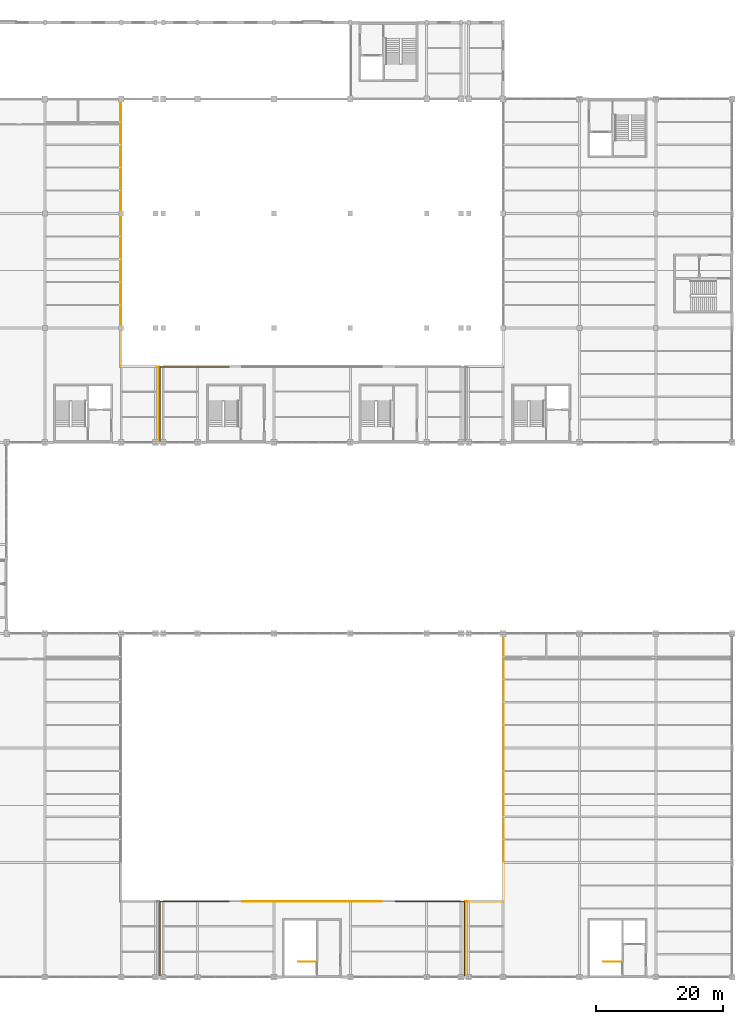
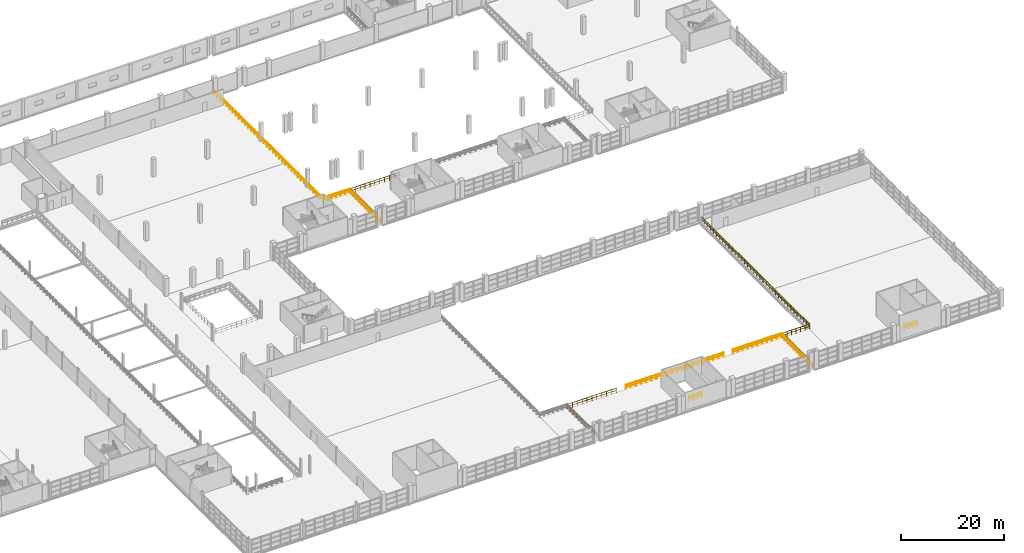
# One storey, part 156 of 158: 8 railings.
"""IFC4 building model written with IfcOpenShell, lengths in metres."""

from ifc_helpers import new_model, si_unit, direction, frame, origin, origin_2d, place, context, subcontext, project, spatial, circle, extrude, material, type_object, element, save


model = new_model("IFC4")

# Units and contexts
model_context = context("Model", 3, precision=1e-05, world=origin(), true_north=direction((0.0, 1.0)))
body_context = subcontext(model_context, "Body", "Model", "MODEL_VIEW")
ifc_project = project(units=[si_unit("LENGTHUNIT", "METRE"), si_unit("AREAUNIT", "SQUARE_METRE"), si_unit("VOLUMEUNIT", "CUBIC_METRE"), si_unit("PLANEANGLEUNIT", "RADIAN"), si_unit("MASSUNIT", "GRAM", prefix="KILO")], contexts=[model_context])

# Site, building, storey
site_placement = place(None, origin())
site = spatial("IfcSite", under=ifc_project, at=site_placement, CompositionType="ELEMENT")
building_placement = place(site_placement, origin())
building = spatial("IfcBuilding", under=site, at=building_placement, Name="Zilviju Railside Exhibition Hall", CompositionType="ELEMENT")
storey_placement = place(building_placement, frame((0.0, 0.0, 4.199951171875)))
storey = spatial("IfcBuildingStorey", under=building, at=storey_placement, Name="L02", CompositionType="ELEMENT", Elevation=4.199951171875)

# Railings
ifc_material = material(Name="Wrought-iron and laminated-glass atrium guardrail", Category="glass")
railing_type = type_object("IfcRailingType", Name="RL-INT-GUARD-1120", PredefinedType="GUARDRAIL", material=ifc_material)
for number, where, name in (
    (1, (147.800048828125, 2.419921875, 0.0), "Core C02 South Hall Mid Top-Landing Well Guardrail L02"),
    (2, (195.800048828125, 2.419921875, 0.0), "Core C03 South Hall East Top-Landing Well Guardrail L02"),
):
    element("IfcRailing", number, at=place(storey_placement, frame(where)), inside=storey, type_object=railing_type, Name=name, PredefinedType="GUARDRAIL", context=body_context, shape_type="SweptSolid", body=[
        extrude(circle(Radius=0.02392578125, at=origin_2d()), frame((0.021728515625, 0.0, 1.09619140625), z_axis=(1.0, 0.0, 0.0), x_axis=(0.0, 1.0, 0.0)), (0.0, 0.0, 1.0), 2.80615234375),
        extrude(circle(Radius=0.02392578125, at=origin_2d()), frame((0.021728515625, 0.0, 0.56005859375), z_axis=(1.0, 0.0, 0.0), x_axis=(0.0, 1.0, 0.0)), (0.0, 0.0, 1.0), 2.80615234375),
        extrude(circle(Radius=0.02099609375, at=origin_2d()), origin(), (0.0, 0.0, 1.0), 1.1201171875),
        extrude(circle(Radius=0.02099609375, at=origin_2d()), frame((0.949951171875, 0.0, 0.0)), (0.0, 0.0, 1.0), 1.1201171875),
        extrude(circle(Radius=0.02099609375, at=origin_2d()), frame((1.89990234375, 0.0, 0.0)), (0.0, 0.0, 1.0), 1.1201171875),
        extrude(circle(Radius=0.02099609375, at=origin_2d()), frame((2.849853515625, 0.0, 0.0)), (0.0, 0.0, 1.0), 1.1201171875),
    ])
railing_1_placement = place(storey_placement, frame((126.080078125, 0.25, 0.0)))
element("IfcRailing", 3, at=railing_1_placement, inside=storey, type_object=railing_type, Name="Interior Atrium & Gallery Guardrail V1-S-WLK2A", PredefinedType="GUARDRAIL", context=body_context, shape_type="SweptSolid", body=[
    extrude(circle(Radius=0.02392578125, at=origin_2d()), frame((0.0, 0.021728515625, 1.09619140625), z_axis=(0.0, 1.0, 0.0), x_axis=(-1.0, 0.0, 0.0)), (0.0, 0.0, 1.0), 11.586181640625),
    extrude(circle(Radius=0.02392578125, at=origin_2d()), frame((0.0, 0.021728515625, 0.56005859375), z_axis=(0.0, 1.0, 0.0), x_axis=(-1.0, 0.0, 0.0)), (0.0, 0.0, 1.0), 11.586181640625),
    extrude(circle(Radius=0.02392578125, at=origin_2d()), frame((0.021728515625, 11.6298828125, 1.09619140625), z_axis=(1.0, 0.0, 0.0), x_axis=(0.0, 1.0, 0.0)), (0.0, 0.0, 1.0), 10.826171875),
    extrude(circle(Radius=0.02392578125, at=origin_2d()), frame((0.021728515625, 11.6298828125, 0.56005859375), z_axis=(1.0, 0.0, 0.0), x_axis=(0.0, 1.0, 0.0)), (0.0, 0.0, 1.0), 10.826171875),
    extrude(circle(Radius=0.02099609375, at=origin_2d()), origin(), (0.0, 0.0, 1.0), 1.1201171875),
    extrude(circle(Radius=0.02099609375, at=origin_2d()), frame((0.0, 1.1630859375, 0.0)), (0.0, 0.0, 1.0), 1.1201171875),
    extrude(circle(Radius=0.02099609375, at=origin_2d()), frame((0.0, 2.325927734375, 0.0)), (0.0, 0.0, 1.0), 1.1201171875),
    extrude(circle(Radius=0.02099609375, at=origin_2d()), frame((0.0, 3.489013671875, 0.0)), (0.0, 0.0, 1.0), 1.1201171875),
    extrude(circle(Radius=0.02099609375, at=origin_2d()), frame((0.0, 4.65185546875, 0.0)), (0.0, 0.0, 1.0), 1.1201171875),
    extrude(circle(Radius=0.02099609375, at=origin_2d()), frame((0.0, 5.81494140625, 0.0)), (0.0, 0.0, 1.0), 1.1201171875),
    extrude(circle(Radius=0.02099609375, at=origin_2d()), frame((0.0, 6.97802734375, 0.0)), (0.0, 0.0, 1.0), 1.1201171875),
    extrude(circle(Radius=0.02099609375, at=origin_2d()), frame((0.0, 8.140869140625, 0.0)), (0.0, 0.0, 1.0), 1.1201171875),
    extrude(circle(Radius=0.02099609375, at=origin_2d()), frame((0.0, 9.303955078125, 0.0)), (0.0, 0.0, 1.0), 1.1201171875),
    extrude(circle(Radius=0.02099609375, at=origin_2d()), frame((0.0, 10.466796875, 0.0)), (0.0, 0.0, 1.0), 1.1201171875),
    extrude(circle(Radius=0.02099609375, at=origin_2d()), frame((0.0, 11.6298828125, 0.0)), (0.0, 0.0, 1.0), 1.1201171875),
    extrude(circle(Radius=0.02099609375, at=origin_2d()), frame((1.0869140625, 11.6298828125, 0.0)), (0.0, 0.0, 1.0), 1.1201171875),
    extrude(circle(Radius=0.02099609375, at=origin_2d()), frame((2.174072265625, 11.6298828125, 0.0)), (0.0, 0.0, 1.0), 1.1201171875),
    extrude(circle(Radius=0.02099609375, at=origin_2d()), frame((3.260986328125, 11.6298828125, 0.0)), (0.0, 0.0, 1.0), 1.1201171875),
    extrude(circle(Radius=0.02099609375, at=origin_2d()), frame((4.347900390625, 11.6298828125, 0.0)), (0.0, 0.0, 1.0), 1.1201171875),
    extrude(circle(Radius=0.02099609375, at=origin_2d()), frame((5.43505859375, 11.6298828125, 0.0)), (0.0, 0.0, 1.0), 1.1201171875),
    extrude(circle(Radius=0.02099609375, at=origin_2d()), frame((6.52197265625, 11.6298828125, 0.0)), (0.0, 0.0, 1.0), 1.1201171875),
    extrude(circle(Radius=0.02099609375, at=origin_2d()), frame((7.60888671875, 11.6298828125, 0.0)), (0.0, 0.0, 1.0), 1.1201171875),
    extrude(circle(Radius=0.02099609375, at=origin_2d()), frame((8.69580078125, 11.6298828125, 0.0)), (0.0, 0.0, 1.0), 1.1201171875),
    extrude(circle(Radius=0.02099609375, at=origin_2d()), frame((9.782958984375, 11.6298828125, 0.0)), (0.0, 0.0, 1.0), 1.1201171875),
    extrude(circle(Radius=0.02099609375, at=origin_2d()), frame((10.869873046875, 11.6298828125, 0.0)), (0.0, 0.0, 1.0), 1.1201171875),
])
railing_2_placement = place(storey_placement, frame((139.050048828125, 11.8798828125, 0.0)))
element("IfcRailing", 4, at=railing_2_placement, inside=storey, type_object=railing_type, Name="Interior Atrium & Gallery Guardrail V1-S-WLK2B", PredefinedType="GUARDRAIL", context=body_context, shape_type="SweptSolid", body=[
    extrude(circle(Radius=0.02392578125, at=origin_2d()), frame((0.021728515625, 0.0, 1.09619140625), z_axis=(1.0, 0.0, 0.0), x_axis=(0.0, 1.0, 0.0)), (0.0, 0.0, 1.0), 21.856201171875),
    extrude(circle(Radius=0.02392578125, at=origin_2d()), frame((0.021728515625, 0.0, 0.56005859375), z_axis=(1.0, 0.0, 0.0), x_axis=(0.0, 1.0, 0.0)), (0.0, 0.0, 1.0), 21.856201171875),
    extrude(circle(Radius=0.02099609375, at=origin_2d()), origin(), (0.0, 0.0, 1.0), 1.1201171875),
    extrude(circle(Radius=0.02099609375, at=origin_2d()), frame((1.152587890625, 0.0, 0.0)), (0.0, 0.0, 1.0), 1.1201171875),
    extrude(circle(Radius=0.02099609375, at=origin_2d()), frame((2.30517578125, 0.0, 0.0)), (0.0, 0.0, 1.0), 1.1201171875),
    extrude(circle(Radius=0.02099609375, at=origin_2d()), frame((3.457763671875, 0.0, 0.0)), (0.0, 0.0, 1.0), 1.1201171875),
    extrude(circle(Radius=0.02099609375, at=origin_2d()), frame((4.610595703125, 0.0, 0.0)), (0.0, 0.0, 1.0), 1.1201171875),
    extrude(circle(Radius=0.02099609375, at=origin_2d()), frame((5.76318359375, 0.0, 0.0)), (0.0, 0.0, 1.0), 1.1201171875),
    extrude(circle(Radius=0.02099609375, at=origin_2d()), frame((6.915771484375, 0.0, 0.0)), (0.0, 0.0, 1.0), 1.1201171875),
    extrude(circle(Radius=0.02099609375, at=origin_2d()), frame((8.068359375, 0.0, 0.0)), (0.0, 0.0, 1.0), 1.1201171875),
    extrude(circle(Radius=0.02099609375, at=origin_2d()), frame((9.220947265625, 0.0, 0.0)), (0.0, 0.0, 1.0), 1.1201171875),
    extrude(circle(Radius=0.02099609375, at=origin_2d()), frame((10.37353515625, 0.0, 0.0)), (0.0, 0.0, 1.0), 1.1201171875),
    extrude(circle(Radius=0.02099609375, at=origin_2d()), frame((11.5263671875, 0.0, 0.0)), (0.0, 0.0, 1.0), 1.1201171875),
    extrude(circle(Radius=0.02099609375, at=origin_2d()), frame((12.678955078125, 0.0, 0.0)), (0.0, 0.0, 1.0), 1.1201171875),
    extrude(circle(Radius=0.02099609375, at=origin_2d()), frame((13.83154296875, 0.0, 0.0)), (0.0, 0.0, 1.0), 1.1201171875),
    extrude(circle(Radius=0.02099609375, at=origin_2d()), frame((14.984130859375, 0.0, 0.0)), (0.0, 0.0, 1.0), 1.1201171875),
    extrude(circle(Radius=0.02099609375, at=origin_2d()), frame((16.13671875, 0.0, 0.0)), (0.0, 0.0, 1.0), 1.1201171875),
    extrude(circle(Radius=0.02099609375, at=origin_2d()), frame((17.289306640625, 0.0, 0.0)), (0.0, 0.0, 1.0), 1.1201171875),
    extrude(circle(Radius=0.02099609375, at=origin_2d()), frame((18.442138671875, 0.0, 0.0)), (0.0, 0.0, 1.0), 1.1201171875),
    extrude(circle(Radius=0.02099609375, at=origin_2d()), frame((19.5947265625, 0.0, 0.0)), (0.0, 0.0, 1.0), 1.1201171875),
    extrude(circle(Radius=0.02099609375, at=origin_2d()), frame((20.747314453125, 0.0, 0.0)), (0.0, 0.0, 1.0), 1.1201171875),
    extrude(circle(Radius=0.02099609375, at=origin_2d()), frame((21.89990234375, 0.0, 0.0)), (0.0, 0.0, 1.0), 1.1201171875),
])
railing_3_placement = place(storey_placement, frame((163.050048828125, 11.8798828125, 0.0)))
element("IfcRailing", 5, at=railing_3_placement, inside=storey, type_object=railing_type, Name="Interior Atrium & Gallery Guardrail V1-S-WLK2C", PredefinedType="GUARDRAIL", context=body_context, shape_type="SweptSolid", body=[
    extrude(circle(Radius=0.02392578125, at=origin_2d()), frame((0.021728515625, 0.0, 1.09619140625), z_axis=(1.0, 0.0, 0.0), x_axis=(0.0, 1.0, 0.0)), (0.0, 0.0, 1.0), 10.826171875),
    extrude(circle(Radius=0.02392578125, at=origin_2d()), frame((0.021728515625, 0.0, 0.56005859375), z_axis=(1.0, 0.0, 0.0), x_axis=(0.0, 1.0, 0.0)), (0.0, 0.0, 1.0), 10.826171875),
    extrude(circle(Radius=0.02392578125, at=origin_2d()), frame((10.869873046875, -0.021728515625, 1.09619140625), z_axis=(0.0, -1.0, 0.0), x_axis=(1.0, 0.0, 0.0)), (0.0, 0.0, 1.0), 11.586181640625),
    extrude(circle(Radius=0.02392578125, at=origin_2d()), frame((10.869873046875, -0.021728515625, 0.56005859375), z_axis=(0.0, -1.0, 0.0), x_axis=(1.0, 0.0, 0.0)), (0.0, 0.0, 1.0), 11.586181640625),
    extrude(circle(Radius=0.02099609375, at=origin_2d()), origin(), (0.0, 0.0, 1.0), 1.1201171875),
    extrude(circle(Radius=0.02099609375, at=origin_2d()), frame((1.0869140625, 0.0, 0.0)), (0.0, 0.0, 1.0), 1.1201171875),
    extrude(circle(Radius=0.02099609375, at=origin_2d()), frame((2.174072265625, 0.0, 0.0)), (0.0, 0.0, 1.0), 1.1201171875),
    extrude(circle(Radius=0.02099609375, at=origin_2d()), frame((3.260986328125, 0.0, 0.0)), (0.0, 0.0, 1.0), 1.1201171875),
    extrude(circle(Radius=0.02099609375, at=origin_2d()), frame((4.347900390625, 0.0, 0.0)), (0.0, 0.0, 1.0), 1.1201171875),
    extrude(circle(Radius=0.02099609375, at=origin_2d()), frame((5.43505859375, 0.0, 0.0)), (0.0, 0.0, 1.0), 1.1201171875),
    extrude(circle(Radius=0.02099609375, at=origin_2d()), frame((6.52197265625, 0.0, 0.0)), (0.0, 0.0, 1.0), 1.1201171875),
    extrude(circle(Radius=0.02099609375, at=origin_2d()), frame((7.60888671875, 0.0, 0.0)), (0.0, 0.0, 1.0), 1.1201171875),
    extrude(circle(Radius=0.02099609375, at=origin_2d()), frame((8.69580078125, 0.0, 0.0)), (0.0, 0.0, 1.0), 1.1201171875),
    extrude(circle(Radius=0.02099609375, at=origin_2d()), frame((9.782958984375, 0.0, 0.0)), (0.0, 0.0, 1.0), 1.1201171875),
    extrude(circle(Radius=0.02099609375, at=origin_2d()), frame((10.869873046875, 0.0, 0.0)), (0.0, 0.0, 1.0), 1.1201171875),
    extrude(circle(Radius=0.02099609375, at=origin_2d()), frame((10.869873046875, -1.1630859375, 0.0)), (0.0, 0.0, 1.0), 1.1201171875),
    extrude(circle(Radius=0.02099609375, at=origin_2d()), frame((10.869873046875, -2.325927734375, 0.0)), (0.0, 0.0, 1.0), 1.1201171875),
    extrude(circle(Radius=0.02099609375, at=origin_2d()), frame((10.869873046875, -3.489013671875, 0.0)), (0.0, 0.0, 1.0), 1.1201171875),
    extrude(circle(Radius=0.02099609375, at=origin_2d()), frame((10.869873046875, -4.65185546875, 0.0)), (0.0, 0.0, 1.0), 1.1201171875),
    extrude(circle(Radius=0.02099609375, at=origin_2d()), frame((10.869873046875, -5.81494140625, 0.0)), (0.0, 0.0, 1.0), 1.1201171875),
    extrude(circle(Radius=0.02099609375, at=origin_2d()), frame((10.869873046875, -6.97802734375, 0.0)), (0.0, 0.0, 1.0), 1.1201171875),
    extrude(circle(Radius=0.02099609375, at=origin_2d()), frame((10.869873046875, -8.140869140625, 0.0)), (0.0, 0.0, 1.0), 1.1201171875),
    extrude(circle(Radius=0.02099609375, at=origin_2d()), frame((10.869873046875, -9.303955078125, 0.0)), (0.0, 0.0, 1.0), 1.1201171875),
    extrude(circle(Radius=0.02099609375, at=origin_2d()), frame((10.869873046875, -10.466796875, 0.0)), (0.0, 0.0, 1.0), 1.1201171875),
    extrude(circle(Radius=0.02099609375, at=origin_2d()), frame((10.869873046875, -11.6298828125, 0.0)), (0.0, 0.0, 1.0), 1.1201171875),
])
railing_4_placement = place(storey_placement, frame((174.080078125, 0.25, 0.0)))
element("IfcRailing", 6, at=railing_4_placement, inside=storey, type_object=railing_type, Name="Interior Atrium & Gallery Guardrail V1-E-GAL", PredefinedType="GUARDRAIL", context=body_context, shape_type="SweptSolid", body=[
    extrude(circle(Radius=0.02392578125, at=origin_2d()), frame((0.0, 0.021728515625, 1.09619140625), z_axis=(0.0, 1.0, 0.0), x_axis=(-1.0, 0.0, 0.0)), (0.0, 0.0, 1.0), 11.586181640625),
    extrude(circle(Radius=0.02392578125, at=origin_2d()), frame((0.0, 0.021728515625, 0.56005859375), z_axis=(0.0, 1.0, 0.0), x_axis=(-1.0, 0.0, 0.0)), (0.0, 0.0, 1.0), 11.586181640625),
    extrude(circle(Radius=0.02392578125, at=origin_2d()), frame((0.021728515625, 11.6298828125, 1.09619140625), z_axis=(1.0, 0.0, 0.0), x_axis=(0.0, 1.0, 0.0)), (0.0, 0.0, 1.0), 5.996337890625),
    extrude(circle(Radius=0.02392578125, at=origin_2d()), frame((0.021728515625, 11.6298828125, 0.56005859375), z_axis=(1.0, 0.0, 0.0), x_axis=(0.0, 1.0, 0.0)), (0.0, 0.0, 1.0), 5.996337890625),
    extrude(circle(Radius=0.02392578125, at=origin_2d()), frame((6.0400390625, 11.651611328125, 1.09619140625), z_axis=(0.0, 1.0, 0.0), x_axis=(-1.0, 0.0, 0.0)), (0.0, 0.0, 1.0), 41.926513671875),
    extrude(circle(Radius=0.02392578125, at=origin_2d()), frame((6.0400390625, 11.651611328125, 0.56005859375), z_axis=(0.0, 1.0, 0.0), x_axis=(-1.0, 0.0, 0.0)), (0.0, 0.0, 1.0), 41.926513671875),
    extrude(circle(Radius=0.02099609375, at=origin_2d()), origin(), (0.0, 0.0, 1.0), 1.1201171875),
    extrude(circle(Radius=0.02099609375, at=origin_2d()), frame((0.0, 1.1630859375, 0.0)), (0.0, 0.0, 1.0), 1.1201171875),
    extrude(circle(Radius=0.02099609375, at=origin_2d()), frame((0.0, 2.325927734375, 0.0)), (0.0, 0.0, 1.0), 1.1201171875),
    extrude(circle(Radius=0.02099609375, at=origin_2d()), frame((0.0, 3.489013671875, 0.0)), (0.0, 0.0, 1.0), 1.1201171875),
    extrude(circle(Radius=0.02099609375, at=origin_2d()), frame((0.0, 4.65185546875, 0.0)), (0.0, 0.0, 1.0), 1.1201171875),
    extrude(circle(Radius=0.02099609375, at=origin_2d()), frame((0.0, 5.81494140625, 0.0)), (0.0, 0.0, 1.0), 1.1201171875),
    extrude(circle(Radius=0.02099609375, at=origin_2d()), frame((0.0, 6.97802734375, 0.0)), (0.0, 0.0, 1.0), 1.1201171875),
    extrude(circle(Radius=0.02099609375, at=origin_2d()), frame((0.0, 8.140869140625, 0.0)), (0.0, 0.0, 1.0), 1.1201171875),
    extrude(circle(Radius=0.02099609375, at=origin_2d()), frame((0.0, 9.303955078125, 0.0)), (0.0, 0.0, 1.0), 1.1201171875),
    extrude(circle(Radius=0.02099609375, at=origin_2d()), frame((0.0, 10.466796875, 0.0)), (0.0, 0.0, 1.0), 1.1201171875),
    extrude(circle(Radius=0.02099609375, at=origin_2d()), frame((0.0, 11.6298828125, 0.0)), (0.0, 0.0, 1.0), 1.1201171875),
    extrude(circle(Radius=0.02099609375, at=origin_2d()), frame((1.006591796875, 11.6298828125, 0.0)), (0.0, 0.0, 1.0), 1.1201171875),
    extrude(circle(Radius=0.02099609375, at=origin_2d()), frame((2.013427734375, 11.6298828125, 0.0)), (0.0, 0.0, 1.0), 1.1201171875),
    extrude(circle(Radius=0.02099609375, at=origin_2d()), frame((3.02001953125, 11.6298828125, 0.0)), (0.0, 0.0, 1.0), 1.1201171875),
    extrude(circle(Radius=0.02099609375, at=origin_2d()), frame((4.026611328125, 11.6298828125, 0.0)), (0.0, 0.0, 1.0), 1.1201171875),
    extrude(circle(Radius=0.02099609375, at=origin_2d()), frame((5.033447265625, 11.6298828125, 0.0)), (0.0, 0.0, 1.0), 1.1201171875),
    extrude(circle(Radius=0.02099609375, at=origin_2d()), frame((6.0400390625, 11.6298828125, 0.0)), (0.0, 0.0, 1.0), 1.1201171875),
    extrude(circle(Radius=0.02099609375, at=origin_2d()), frame((6.0400390625, 12.8291015625, 0.0)), (0.0, 0.0, 1.0), 1.1201171875),
    extrude(circle(Radius=0.02099609375, at=origin_2d()), frame((6.0400390625, 14.028076171875, 0.0)), (0.0, 0.0, 1.0), 1.1201171875),
    extrude(circle(Radius=0.02099609375, at=origin_2d()), frame((6.0400390625, 15.227294921875, 0.0)), (0.0, 0.0, 1.0), 1.1201171875),
    extrude(circle(Radius=0.02099609375, at=origin_2d()), frame((6.0400390625, 16.426513671875, 0.0)), (0.0, 0.0, 1.0), 1.1201171875),
    extrude(circle(Radius=0.02099609375, at=origin_2d()), frame((6.0400390625, 17.625732421875, 0.0)), (0.0, 0.0, 1.0), 1.1201171875),
    extrude(circle(Radius=0.02099609375, at=origin_2d()), frame((6.0400390625, 18.82470703125, 0.0)), (0.0, 0.0, 1.0), 1.1201171875),
    extrude(circle(Radius=0.02099609375, at=origin_2d()), frame((6.0400390625, 20.02392578125, 0.0)), (0.0, 0.0, 1.0), 1.1201171875),
    extrude(circle(Radius=0.02099609375, at=origin_2d()), frame((6.0400390625, 21.22314453125, 0.0)), (0.0, 0.0, 1.0), 1.1201171875),
    extrude(circle(Radius=0.02099609375, at=origin_2d()), frame((6.0400390625, 22.422119140625, 0.0)), (0.0, 0.0, 1.0), 1.1201171875),
    extrude(circle(Radius=0.02099609375, at=origin_2d()), frame((6.0400390625, 23.621337890625, 0.0)), (0.0, 0.0, 1.0), 1.1201171875),
    extrude(circle(Radius=0.02099609375, at=origin_2d()), frame((6.0400390625, 24.820556640625, 0.0)), (0.0, 0.0, 1.0), 1.1201171875),
    extrude(circle(Radius=0.02099609375, at=origin_2d()), frame((6.0400390625, 26.019775390625, 0.0)), (0.0, 0.0, 1.0), 1.1201171875),
    extrude(circle(Radius=0.02099609375, at=origin_2d()), frame((6.0400390625, 27.21875, 0.0)), (0.0, 0.0, 1.0), 1.1201171875),
    extrude(circle(Radius=0.02099609375, at=origin_2d()), frame((6.0400390625, 28.41796875, 0.0)), (0.0, 0.0, 1.0), 1.1201171875),
    extrude(circle(Radius=0.02099609375, at=origin_2d()), frame((6.0400390625, 29.6171875, 0.0)), (0.0, 0.0, 1.0), 1.1201171875),
    extrude(circle(Radius=0.02099609375, at=origin_2d()), frame((6.0400390625, 30.816162109375, 0.0)), (0.0, 0.0, 1.0), 1.1201171875),
    extrude(circle(Radius=0.02099609375, at=origin_2d()), frame((6.0400390625, 32.015380859375, 0.0)), (0.0, 0.0, 1.0), 1.1201171875),
    extrude(circle(Radius=0.02099609375, at=origin_2d()), frame((6.0400390625, 33.214599609375, 0.0)), (0.0, 0.0, 1.0), 1.1201171875),
    extrude(circle(Radius=0.02099609375, at=origin_2d()), frame((6.0400390625, 34.413818359375, 0.0)), (0.0, 0.0, 1.0), 1.1201171875),
    extrude(circle(Radius=0.02099609375, at=origin_2d()), frame((6.0400390625, 35.61279296875, 0.0)), (0.0, 0.0, 1.0), 1.1201171875),
    extrude(circle(Radius=0.02099609375, at=origin_2d()), frame((6.0400390625, 36.81201171875, 0.0)), (0.0, 0.0, 1.0), 1.1201171875),
    extrude(circle(Radius=0.02099609375, at=origin_2d()), frame((6.0400390625, 38.01123046875, 0.0)), (0.0, 0.0, 1.0), 1.1201171875),
    extrude(circle(Radius=0.02099609375, at=origin_2d()), frame((6.0400390625, 39.210205078125, 0.0)), (0.0, 0.0, 1.0), 1.1201171875),
    extrude(circle(Radius=0.02099609375, at=origin_2d()), frame((6.0400390625, 40.409423828125, 0.0)), (0.0, 0.0, 1.0), 1.1201171875),
    extrude(circle(Radius=0.02099609375, at=origin_2d()), frame((6.0400390625, 41.608642578125, 0.0)), (0.0, 0.0, 1.0), 1.1201171875),
    extrude(circle(Radius=0.02099609375, at=origin_2d()), frame((6.0400390625, 42.807861328125, 0.0)), (0.0, 0.0, 1.0), 1.1201171875),
    extrude(circle(Radius=0.02099609375, at=origin_2d()), frame((6.0400390625, 44.0068359375, 0.0)), (0.0, 0.0, 1.0), 1.1201171875),
    extrude(circle(Radius=0.02099609375, at=origin_2d()), frame((6.0400390625, 45.2060546875, 0.0)), (0.0, 0.0, 1.0), 1.1201171875),
    extrude(circle(Radius=0.02099609375, at=origin_2d()), frame((6.0400390625, 46.4052734375, 0.0)), (0.0, 0.0, 1.0), 1.1201171875),
    extrude(circle(Radius=0.02099609375, at=origin_2d()), frame((6.0400390625, 47.604248046875, 0.0)), (0.0, 0.0, 1.0), 1.1201171875),
    extrude(circle(Radius=0.02099609375, at=origin_2d()), frame((6.0400390625, 48.803466796875, 0.0)), (0.0, 0.0, 1.0), 1.1201171875),
    extrude(circle(Radius=0.02099609375, at=origin_2d()), frame((6.0400390625, 50.002685546875, 0.0)), (0.0, 0.0, 1.0), 1.1201171875),
    extrude(circle(Radius=0.02099609375, at=origin_2d()), frame((6.0400390625, 51.201904296875, 0.0)), (0.0, 0.0, 1.0), 1.1201171875),
    extrude(circle(Radius=0.02099609375, at=origin_2d()), frame((6.0400390625, 52.40087890625, 0.0)), (0.0, 0.0, 1.0), 1.1201171875),
    extrude(circle(Radius=0.02099609375, at=origin_2d()), frame((6.0400390625, 53.60009765625, 0.0)), (0.0, 0.0, 1.0), 1.1201171875),
])
railing_5_placement = place(storey_placement, frame((119.8798828125, 137.85009765625, 0.0)))
element("IfcRailing", 7, at=railing_5_placement, inside=storey, type_object=railing_type, Name="Interior Atrium & Gallery Guardrail V2-W-GAL", PredefinedType="GUARDRAIL", context=body_context, shape_type="SweptSolid", body=[
    extrude(circle(Radius=0.02392578125, at=origin_2d()), frame((0.0, -0.021728515625, 1.09619140625), z_axis=(0.0, -1.0, 0.0), x_axis=(1.0, 0.0, 0.0)), (0.0, 0.0, 1.0), 41.926513671875),
    extrude(circle(Radius=0.02392578125, at=origin_2d()), frame((0.0, -0.021728515625, 0.56005859375), z_axis=(0.0, -1.0, 0.0), x_axis=(1.0, 0.0, 0.0)), (0.0, 0.0, 1.0), 41.926513671875),
    extrude(circle(Radius=0.02392578125, at=origin_2d()), frame((0.021728515625, -41.97021484375, 1.09619140625), z_axis=(1.0, 0.0, 0.0), x_axis=(0.0, 1.0, 0.0)), (0.0, 0.0, 1.0), 5.996337890625),
    extrude(circle(Radius=0.02392578125, at=origin_2d()), frame((0.021728515625, -41.97021484375, 0.56005859375), z_axis=(1.0, 0.0, 0.0), x_axis=(0.0, 1.0, 0.0)), (0.0, 0.0, 1.0), 5.996337890625),
    extrude(circle(Radius=0.02392578125, at=origin_2d()), frame((6.0400390625, -41.991943359375, 1.09619140625), z_axis=(0.0, -1.0, 0.0), x_axis=(1.0, 0.0, 0.0)), (0.0, 0.0, 1.0), 11.586181640625),
    extrude(circle(Radius=0.02392578125, at=origin_2d()), frame((6.0400390625, -41.991943359375, 0.56005859375), z_axis=(0.0, -1.0, 0.0), x_axis=(1.0, 0.0, 0.0)), (0.0, 0.0, 1.0), 11.586181640625),
    extrude(circle(Radius=0.02099609375, at=origin_2d()), origin(), (0.0, 0.0, 1.0), 1.1201171875),
    extrude(circle(Radius=0.02099609375, at=origin_2d()), frame((0.0, -1.19921875, 0.0)), (0.0, 0.0, 1.0), 1.1201171875),
    extrude(circle(Radius=0.02099609375, at=origin_2d()), frame((0.0, -2.398193359375, 0.0)), (0.0, 0.0, 1.0), 1.1201171875),
    extrude(circle(Radius=0.02099609375, at=origin_2d()), frame((0.0, -3.597412109375, 0.0)), (0.0, 0.0, 1.0), 1.1201171875),
    extrude(circle(Radius=0.02099609375, at=origin_2d()), frame((0.0, -4.796630859375, 0.0)), (0.0, 0.0, 1.0), 1.1201171875),
    extrude(circle(Radius=0.02099609375, at=origin_2d()), frame((0.0, -5.995849609375, 0.0)), (0.0, 0.0, 1.0), 1.1201171875),
    extrude(circle(Radius=0.02099609375, at=origin_2d()), frame((0.0, -7.19482421875, 0.0)), (0.0, 0.0, 1.0), 1.1201171875),
    extrude(circle(Radius=0.02099609375, at=origin_2d()), frame((0.0, -8.39404296875, 0.0)), (0.0, 0.0, 1.0), 1.1201171875),
    extrude(circle(Radius=0.02099609375, at=origin_2d()), frame((0.0, -9.59326171875, 0.0)), (0.0, 0.0, 1.0), 1.1201171875),
    extrude(circle(Radius=0.02099609375, at=origin_2d()), frame((0.0, -10.792236328125, 0.0)), (0.0, 0.0, 1.0), 1.1201171875),
    extrude(circle(Radius=0.02099609375, at=origin_2d()), frame((0.0, -11.991455078125, 0.0)), (0.0, 0.0, 1.0), 1.1201171875),
    extrude(circle(Radius=0.02099609375, at=origin_2d()), frame((0.0, -13.190673828125, 0.0)), (0.0, 0.0, 1.0), 1.1201171875),
    extrude(circle(Radius=0.02099609375, at=origin_2d()), frame((0.0, -14.389892578125, 0.0)), (0.0, 0.0, 1.0), 1.1201171875),
    extrude(circle(Radius=0.02099609375, at=origin_2d()), frame((0.0, -15.5888671875, 0.0)), (0.0, 0.0, 1.0), 1.1201171875),
    extrude(circle(Radius=0.02099609375, at=origin_2d()), frame((0.0, -16.7880859375, 0.0)), (0.0, 0.0, 1.0), 1.1201171875),
    extrude(circle(Radius=0.02099609375, at=origin_2d()), frame((0.0, -17.9873046875, 0.0)), (0.0, 0.0, 1.0), 1.1201171875),
    extrude(circle(Radius=0.02099609375, at=origin_2d()), frame((0.0, -19.186279296875, 0.0)), (0.0, 0.0, 1.0), 1.1201171875),
    extrude(circle(Radius=0.02099609375, at=origin_2d()), frame((0.0, -20.385498046875, 0.0)), (0.0, 0.0, 1.0), 1.1201171875),
    extrude(circle(Radius=0.02099609375, at=origin_2d()), frame((0.0, -21.584716796875, 0.0)), (0.0, 0.0, 1.0), 1.1201171875),
    extrude(circle(Radius=0.02099609375, at=origin_2d()), frame((0.0, -22.783935546875, 0.0)), (0.0, 0.0, 1.0), 1.1201171875),
    extrude(circle(Radius=0.02099609375, at=origin_2d()), frame((0.0, -23.98291015625, 0.0)), (0.0, 0.0, 1.0), 1.1201171875),
    extrude(circle(Radius=0.02099609375, at=origin_2d()), frame((0.0, -25.18212890625, 0.0)), (0.0, 0.0, 1.0), 1.1201171875),
    extrude(circle(Radius=0.02099609375, at=origin_2d()), frame((0.0, -26.38134765625, 0.0)), (0.0, 0.0, 1.0), 1.1201171875),
    extrude(circle(Radius=0.02099609375, at=origin_2d()), frame((0.0, -27.580322265625, 0.0)), (0.0, 0.0, 1.0), 1.1201171875),
    extrude(circle(Radius=0.02099609375, at=origin_2d()), frame((0.0, -28.779541015625, 0.0)), (0.0, 0.0, 1.0), 1.1201171875),
    extrude(circle(Radius=0.02099609375, at=origin_2d()), frame((0.0, -29.978759765625, 0.0)), (0.0, 0.0, 1.0), 1.1201171875),
    extrude(circle(Radius=0.02099609375, at=origin_2d()), frame((0.0, -31.177978515625, 0.0)), (0.0, 0.0, 1.0), 1.1201171875),
    extrude(circle(Radius=0.02099609375, at=origin_2d()), frame((0.0, -32.376953125, 0.0)), (0.0, 0.0, 1.0), 1.1201171875),
    extrude(circle(Radius=0.02099609375, at=origin_2d()), frame((0.0, -33.576171875, 0.0)), (0.0, 0.0, 1.0), 1.1201171875),
    extrude(circle(Radius=0.02099609375, at=origin_2d()), frame((0.0, -34.775390625, 0.0)), (0.0, 0.0, 1.0), 1.1201171875),
    extrude(circle(Radius=0.02099609375, at=origin_2d()), frame((0.0, -35.974365234375, 0.0)), (0.0, 0.0, 1.0), 1.1201171875),
    extrude(circle(Radius=0.02099609375, at=origin_2d()), frame((0.0, -37.173583984375, 0.0)), (0.0, 0.0, 1.0), 1.1201171875),
    extrude(circle(Radius=0.02099609375, at=origin_2d()), frame((0.0, -38.372802734375, 0.0)), (0.0, 0.0, 1.0), 1.1201171875),
    extrude(circle(Radius=0.02099609375, at=origin_2d()), frame((0.0, -39.572021484375, 0.0)), (0.0, 0.0, 1.0), 1.1201171875),
    extrude(circle(Radius=0.02099609375, at=origin_2d()), frame((0.0, -40.77099609375, 0.0)), (0.0, 0.0, 1.0), 1.1201171875),
    extrude(circle(Radius=0.02099609375, at=origin_2d()), frame((0.0, -41.97021484375, 0.0)), (0.0, 0.0, 1.0), 1.1201171875),
    extrude(circle(Radius=0.02099609375, at=origin_2d()), frame((1.006591796875, -41.97021484375, 0.0)), (0.0, 0.0, 1.0), 1.1201171875),
    extrude(circle(Radius=0.02099609375, at=origin_2d()), frame((2.013427734375, -41.97021484375, 0.0)), (0.0, 0.0, 1.0), 1.1201171875),
    extrude(circle(Radius=0.02099609375, at=origin_2d()), frame((3.02001953125, -41.97021484375, 0.0)), (0.0, 0.0, 1.0), 1.1201171875),
    extrude(circle(Radius=0.02099609375, at=origin_2d()), frame((4.026611328125, -41.97021484375, 0.0)), (0.0, 0.0, 1.0), 1.1201171875),
    extrude(circle(Radius=0.02099609375, at=origin_2d()), frame((5.033447265625, -41.97021484375, 0.0)), (0.0, 0.0, 1.0), 1.1201171875),
    extrude(circle(Radius=0.02099609375, at=origin_2d()), frame((6.0400390625, -41.97021484375, 0.0)), (0.0, 0.0, 1.0), 1.1201171875),
    extrude(circle(Radius=0.02099609375, at=origin_2d()), frame((6.0400390625, -43.13330078125, 0.0)), (0.0, 0.0, 1.0), 1.1201171875),
    extrude(circle(Radius=0.02099609375, at=origin_2d()), frame((6.0400390625, -44.296142578125, 0.0)), (0.0, 0.0, 1.0), 1.1201171875),
    extrude(circle(Radius=0.02099609375, at=origin_2d()), frame((6.0400390625, -45.459228515625, 0.0)), (0.0, 0.0, 1.0), 1.1201171875),
    extrude(circle(Radius=0.02099609375, at=origin_2d()), frame((6.0400390625, -46.6220703125, 0.0)), (0.0, 0.0, 1.0), 1.1201171875),
    extrude(circle(Radius=0.02099609375, at=origin_2d()), frame((6.0400390625, -47.78515625, 0.0)), (0.0, 0.0, 1.0), 1.1201171875),
    extrude(circle(Radius=0.02099609375, at=origin_2d()), frame((6.0400390625, -48.9482421875, 0.0)), (0.0, 0.0, 1.0), 1.1201171875),
    extrude(circle(Radius=0.02099609375, at=origin_2d()), frame((6.0400390625, -50.111083984375, 0.0)), (0.0, 0.0, 1.0), 1.1201171875),
    extrude(circle(Radius=0.02099609375, at=origin_2d()), frame((6.0400390625, -51.274169921875, 0.0)), (0.0, 0.0, 1.0), 1.1201171875),
    extrude(circle(Radius=0.02099609375, at=origin_2d()), frame((6.0400390625, -52.43701171875, 0.0)), (0.0, 0.0, 1.0), 1.1201171875),
    extrude(circle(Radius=0.02099609375, at=origin_2d()), frame((6.0400390625, -53.60009765625, 0.0)), (0.0, 0.0, 1.0), 1.1201171875),
])
railing_6_placement = place(storey_placement, frame((126.080078125, 84.25, 0.0)))
element("IfcRailing", 8, at=railing_6_placement, inside=storey, type_object=railing_type, Name="Interior Atrium & Gallery Guardrail V2-S-WLK2A", PredefinedType="GUARDRAIL", context=body_context, shape_type="SweptSolid", body=[
    extrude(circle(Radius=0.02392578125, at=origin_2d()), frame((0.0, 0.021728515625, 1.09619140625), z_axis=(0.0, 1.0, 0.0), x_axis=(-1.0, 0.0, 0.0)), (0.0, 0.0, 1.0), 11.586181640625),
    extrude(circle(Radius=0.02392578125, at=origin_2d()), frame((0.0, 0.021728515625, 0.56005859375), z_axis=(0.0, 1.0, 0.0), x_axis=(-1.0, 0.0, 0.0)), (0.0, 0.0, 1.0), 11.586181640625),
    extrude(circle(Radius=0.02392578125, at=origin_2d()), frame((0.021728515625, 11.6298828125, 1.09619140625), z_axis=(1.0, 0.0, 0.0), x_axis=(0.0, 1.0, 0.0)), (0.0, 0.0, 1.0), 10.826171875),
    extrude(circle(Radius=0.02392578125, at=origin_2d()), frame((0.021728515625, 11.6298828125, 0.56005859375), z_axis=(1.0, 0.0, 0.0), x_axis=(0.0, 1.0, 0.0)), (0.0, 0.0, 1.0), 10.826171875),
    extrude(circle(Radius=0.02099609375, at=origin_2d()), origin(), (0.0, 0.0, 1.0), 1.1201171875),
    extrude(circle(Radius=0.02099609375, at=origin_2d()), frame((0.0, 1.1630859375, 0.0)), (0.0, 0.0, 1.0), 1.1201171875),
    extrude(circle(Radius=0.02099609375, at=origin_2d()), frame((0.0, 2.325927734375, 0.0)), (0.0, 0.0, 1.0), 1.1201171875),
    extrude(circle(Radius=0.02099609375, at=origin_2d()), frame((0.0, 3.489013671875, 0.0)), (0.0, 0.0, 1.0), 1.1201171875),
    extrude(circle(Radius=0.02099609375, at=origin_2d()), frame((0.0, 4.65185546875, 0.0)), (0.0, 0.0, 1.0), 1.1201171875),
    extrude(circle(Radius=0.02099609375, at=origin_2d()), frame((0.0, 5.81494140625, 0.0)), (0.0, 0.0, 1.0), 1.1201171875),
    extrude(circle(Radius=0.02099609375, at=origin_2d()), frame((0.0, 6.97802734375, 0.0)), (0.0, 0.0, 1.0), 1.1201171875),
    extrude(circle(Radius=0.02099609375, at=origin_2d()), frame((0.0, 8.140869140625, 0.0)), (0.0, 0.0, 1.0), 1.1201171875),
    extrude(circle(Radius=0.02099609375, at=origin_2d()), frame((0.0, 9.303955078125, 0.0)), (0.0, 0.0, 1.0), 1.1201171875),
    extrude(circle(Radius=0.02099609375, at=origin_2d()), frame((0.0, 10.466796875, 0.0)), (0.0, 0.0, 1.0), 1.1201171875),
    extrude(circle(Radius=0.02099609375, at=origin_2d()), frame((0.0, 11.6298828125, 0.0)), (0.0, 0.0, 1.0), 1.1201171875),
    extrude(circle(Radius=0.02099609375, at=origin_2d()), frame((1.0869140625, 11.6298828125, 0.0)), (0.0, 0.0, 1.0), 1.1201171875),
    extrude(circle(Radius=0.02099609375, at=origin_2d()), frame((2.174072265625, 11.6298828125, 0.0)), (0.0, 0.0, 1.0), 1.1201171875),
    extrude(circle(Radius=0.02099609375, at=origin_2d()), frame((3.260986328125, 11.6298828125, 0.0)), (0.0, 0.0, 1.0), 1.1201171875),
    extrude(circle(Radius=0.02099609375, at=origin_2d()), frame((4.347900390625, 11.6298828125, 0.0)), (0.0, 0.0, 1.0), 1.1201171875),
    extrude(circle(Radius=0.02099609375, at=origin_2d()), frame((5.43505859375, 11.6298828125, 0.0)), (0.0, 0.0, 1.0), 1.1201171875),
    extrude(circle(Radius=0.02099609375, at=origin_2d()), frame((6.52197265625, 11.6298828125, 0.0)), (0.0, 0.0, 1.0), 1.1201171875),
    extrude(circle(Radius=0.02099609375, at=origin_2d()), frame((7.60888671875, 11.6298828125, 0.0)), (0.0, 0.0, 1.0), 1.1201171875),
    extrude(circle(Radius=0.02099609375, at=origin_2d()), frame((8.69580078125, 11.6298828125, 0.0)), (0.0, 0.0, 1.0), 1.1201171875),
    extrude(circle(Radius=0.02099609375, at=origin_2d()), frame((9.782958984375, 11.6298828125, 0.0)), (0.0, 0.0, 1.0), 1.1201171875),
    extrude(circle(Radius=0.02099609375, at=origin_2d()), frame((10.869873046875, 11.6298828125, 0.0)), (0.0, 0.0, 1.0), 1.1201171875),
])

save(model, "model.ifc")
